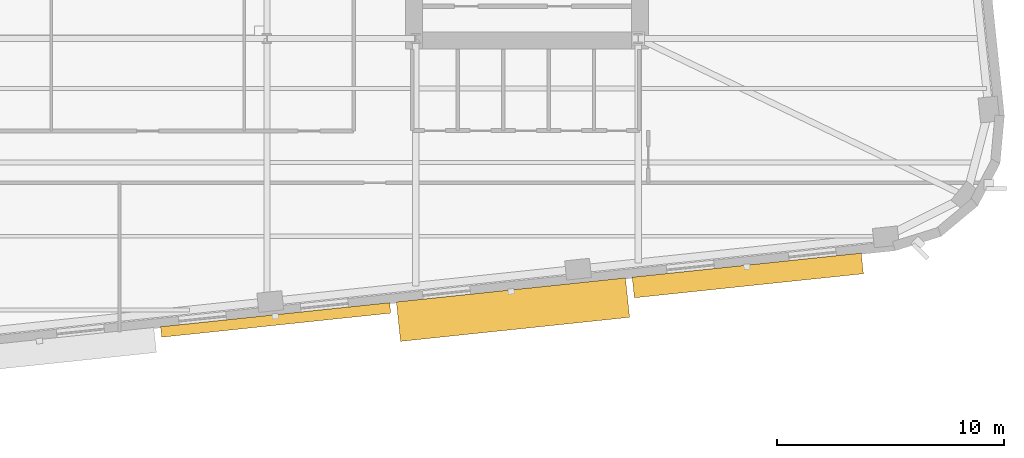
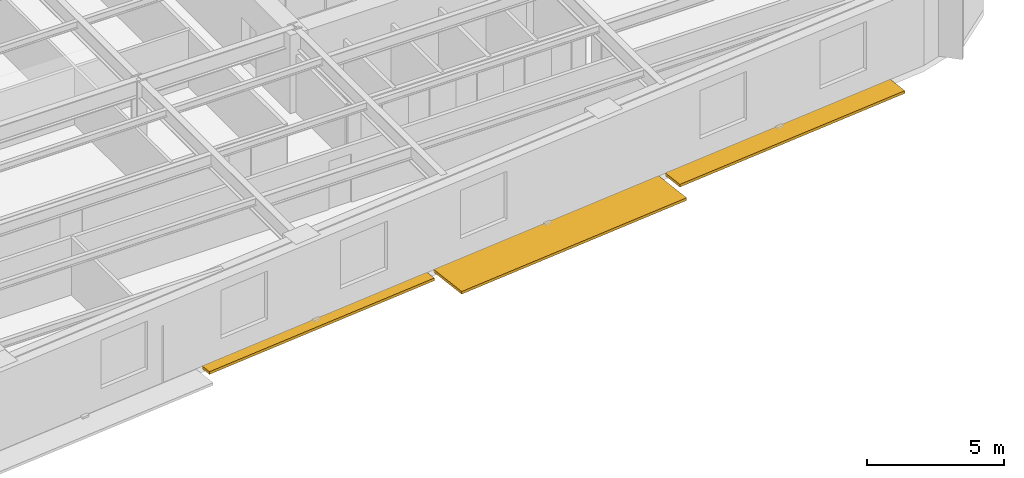
# One storey, part 11 of 15: 3 shading devices.
"""IFC4 building model written with IfcOpenShell, lengths in metres."""

from ifc_helpers import new_model, si_unit, direction, frame, origin, origin_2d, place, context, subcontext, project, spatial, rectangle, extrude, material, type_object, element, save


model = new_model("IFC4")

# Units and contexts
model_context = context("Model", 3, precision=1e-05, world=origin(), true_north=direction((0.0, 1.0)))
body_context = subcontext(model_context, "Body", "Model", "MODEL_VIEW")
ifc_project = project(units=[si_unit("LENGTHUNIT", "METRE"), si_unit("AREAUNIT", "SQUARE_METRE"), si_unit("VOLUMEUNIT", "CUBIC_METRE"), si_unit("PLANEANGLEUNIT", "RADIAN"), si_unit("MASSUNIT", "GRAM", prefix="KILO")], contexts=[model_context])

# Site, building, storey
site_placement = place(None, origin())
site = spatial("IfcSite", under=ifc_project, at=site_placement, CompositionType="ELEMENT")
building_placement = place(site_placement, origin())
building = spatial("IfcBuilding", under=site, at=building_placement, Name="Kolvaren Arena Tower", CompositionType="ELEMENT")
storey_placement = place(building_placement, frame((0.0, 0.0, 142.0)))
storey = spatial("IfcBuildingStorey", under=building, at=storey_placement, Name="L33", CompositionType="ELEMENT", Elevation=142.0)

# Shading devices
ifc_material = material(Name="Architectural precast GFRC and anodised aluminium sunshade", Category="concrete")
shading_device_type_1 = type_object("IfcShadingDeviceType", Name="SHAD-SINE-A", PredefinedType="USERDEFINED", material=ifc_material)
shading_device_1_placement = place(storey_placement, frame((65.171875, 9.02001953125, -0.14013671875), z_axis=(0.0, 0.0, 1.0), x_axis=(-0.994522077803, -0.104526727499, 0.0)))
element("IfcShadingDevice", 1, at=shading_device_1_placement, inside=storey, type_object=shading_device_type_1, Name="Sinusoidal Slab-Edge Sunshade Louvre (L33)", ObjectType="LOUVRE", PredefinedType="USERDEFINED", context=body_context, shape_type="SweptSolid", body=[
    extrude(rectangle(XDim=10.139892578125, YDim=0.9140625, at=origin_2d()), origin(), (0.0, 0.0, 1.0), 0.1201171875),
])
shading_device_2_placement = place(storey_placement, frame((44.3828125, 7.06103515625, -0.14013671875), z_axis=(0.0, 0.0, 1.0), x_axis=(-0.994522077803, -0.104526727499, 0.0)))
element("IfcShadingDevice", 2, at=shading_device_2_placement, inside=storey, type_object=shading_device_type_1, Name="Sinusoidal Slab-Edge Sunshade Louvre (L33)", ObjectType="LOUVRE", PredefinedType="USERDEFINED", context=body_context, shape_type="SweptSolid", body=[
    extrude(rectangle(XDim=10.139892578125, YDim=0.46435546875, at=origin_2d()), origin(), (0.0, 0.0, 1.0), 0.1201171875),
])
shading_device_type_2 = type_object("IfcShadingDeviceType", Name="SHAD-SINE-B", PredefinedType="JALOUSIE", material=ifc_material)
shading_device_3_placement = place(storey_placement, frame((54.83251953125, 7.51513671875, -0.14013671875), z_axis=(0.0, 0.0, 1.0), x_axis=(-0.994522077803, -0.104526727499, 0.0)))
element("IfcShadingDevice", 3, at=shading_device_3_placement, inside=storey, type_object=shading_device_type_2, Name="Sinusoidal Slab-Edge Sunshade Louvre (L33)", PredefinedType="JALOUSIE", context=body_context, shape_type="SweptSolid", body=[
    extrude(rectangle(XDim=10.139892578125, YDim=1.745849609375, at=origin_2d()), origin(), (0.0, 0.0, 1.0), 0.1201171875),
])

save(model, "model.ifc")
